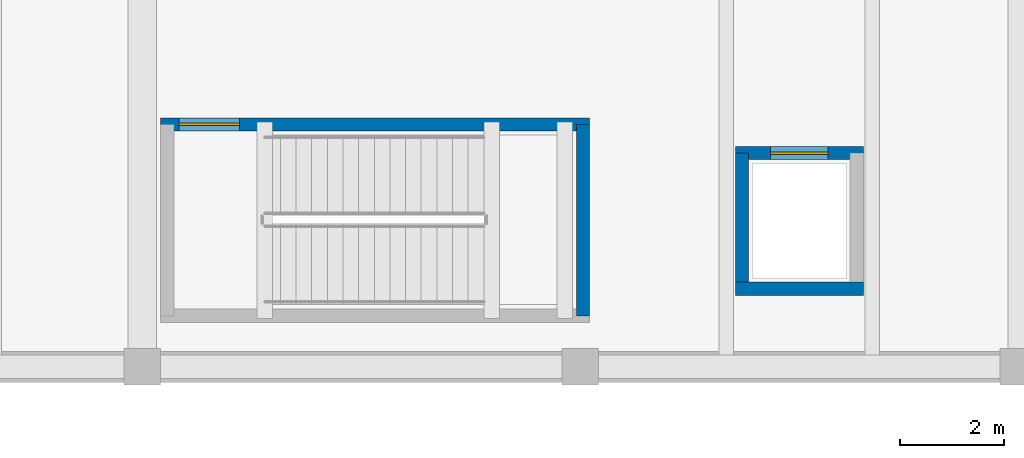
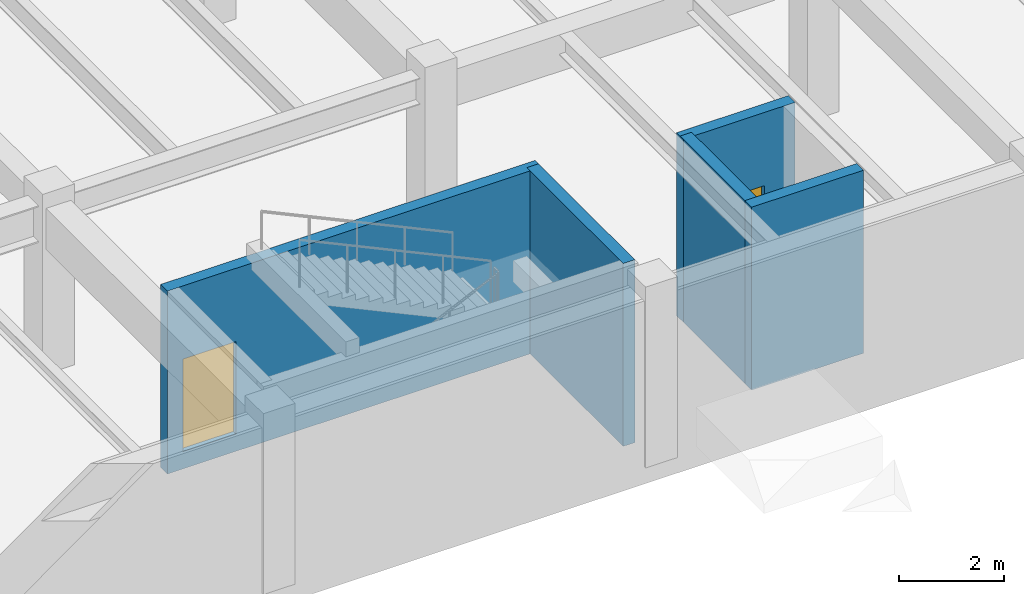
# One storey, part 36 of 63: 5 walls, 2 doors, 2 openings.
"""IFC4 building model written with IfcOpenShell, lengths in metres."""

from ifc_helpers import new_model, si_unit, direction, frame, frame_2d, origin, place, context, subcontext, project, spatial, rectangle, extrude, material, layer, layer_set, type_object, element, fill, save


model = new_model("IFC4")

# Units and contexts
model_context = context("Model", 3, precision=1e-05, world=origin(), true_north=direction((0.0, 1.0)))
body_context = subcontext(model_context, "Body", "Model", "MODEL_VIEW")
ifc_project = project(units=[si_unit("LENGTHUNIT", "METRE"), si_unit("AREAUNIT", "SQUARE_METRE"), si_unit("VOLUMEUNIT", "CUBIC_METRE"), si_unit("PLANEANGLEUNIT", "RADIAN"), si_unit("MASSUNIT", "GRAM", prefix="KILO")], contexts=[model_context])

# Site, building, storey
site_placement = place(None, origin())
site = spatial("IfcSite", under=ifc_project, at=site_placement, CompositionType="ELEMENT")
building_placement = place(site_placement, origin())
building = spatial("IfcBuilding", under=site, at=building_placement, Name="Cumbredor Promenade Congress Hotel", CompositionType="ELEMENT")
storey_placement = place(building_placement, frame((0.0, 0.0, -4.199951171875)))
storey = spatial("IfcBuildingStorey", under=building, at=storey_placement, Name="B01", CompositionType="ELEMENT", Elevation=-4.199951171875)

# Wall, opening, door
ifc_material_1 = material(Name="Concrete C40/50", Category="concrete")
ifc_layer = layer(ifc_material_1, 0.2548828125, Name="Concrete C40/50", Category="concrete")
ifc_layer_set = layer_set([ifc_layer], Name="Concrete C40/50")
wall_type = type_object("IfcWallType", Name="WL-SHAFT-250", PredefinedType="SOLIDWALL", material=ifc_layer_set)
wall_1_placement = place(storey_placement, frame((75.952392578125, 13.050048828125, -0.400146484375), z_axis=(0.0, 0.0, 1.0), x_axis=(1.0, 0.0, 0.0)))
wall_1 = element("IfcWall", 1, at=wall_1_placement, inside=storey, type_object=wall_type, Name="STAIR-ST-11-B01 Shaft Wall North", PredefinedType="SOLIDWALL", context=body_context, shape_type="SweptSolid", body=[
    extrude(rectangle(XDim=8.22509765625, YDim=0.2548828125, at=frame_2d((4.112548828125, 0.0))), origin(), (0.0, 0.0, 1.0), 4.25),
])
opening_1_placement = place(wall_1_placement, frame((0.35009765625, 0.0, 0.39990234375)))
opening_1 = element("IfcOpeningElement", 2, at=opening_1_placement, cuts=wall_1, Name="Opening SD-01", PredefinedType="OPENING", context=body_context, shape_type="SweptSolid", body=[
    extrude(rectangle(XDim=1.159912109375, YDim=2.14990234375, at=frame_2d((0.580078125, 1.074951171875))), frame((0.0, 0.137451171875, 0.0), z_axis=(0.0, -1.0, 0.0), x_axis=(1.0, 0.0, 0.0)), (0.0, 0.0, 1.0), 0.27490234375),
])
ifc_material_2 = material(Name="Painted galvanized steel fire door", Category="steel")
door_type_1 = type_object("IfcDoorType", Name="DR-STAIR-FD90-1150", OperationType="NOTDEFINED", PredefinedType="DOOR", material=ifc_material_2)
door_1_placement = place(opening_1_placement, origin())
door_1 = element("IfcDoor", 3, at=door_1_placement, inside=storey, type_object=door_type_1, Name="B01 Protected Exit Stair ST-11 Door", OperationType="SINGLE_SWING_LEFT", OverallHeight=2.14990234375, OverallWidth=1.159912109375, PredefinedType="DOOR", context=body_context, shape_type="SweptSolid", body=[
    extrude(rectangle(XDim=1.159912109375, YDim=2.14990234375, at=frame_2d((0.580078125, 1.074951171875))), frame((0.0, 0.02490234375, 0.0), z_axis=(0.0, -1.0, 0.0), x_axis=(1.0, 0.0, 0.0)), (0.0, 0.0, 1.0), 0.050048828125),
])
fill(opening_1, door_1)

# Walls
wall_2_placement = place(storey_placement, frame((84.050048828125, 9.3798828125, -0.400146484375), z_axis=(0.0, 0.0, 1.0), x_axis=(0.0, 1.0, 0.0)))
element("IfcWall", 4, at=wall_2_placement, inside=storey, type_object=wall_type, Name="STAIR-ST-11-B01 Shaft Wall East", PredefinedType="SOLIDWALL", context=body_context, shape_type="SweptSolid", body=[
    extrude(rectangle(XDim=3.670166015625, YDim=0.2548828125, at=frame_2d((1.8349609375, 0.0))), origin(), (0.0, 0.0, 1.0), 4.25),
])
wall_3_placement = place(storey_placement, frame((86.972412109375, 9.89990234375, -0.400146484375), z_axis=(0.0, 0.0, 1.0), x_axis=(1.0, 0.0, 0.0)))
element("IfcWall", 5, at=wall_3_placement, inside=storey, type_object=wall_type, Name="SHAFT-PL-08-B01 Shaft Wall South", PredefinedType="SOLIDWALL", context=body_context, shape_type="SweptSolid", body=[
    extrude(rectangle(XDim=2.455078125, YDim=0.2548828125, at=frame_2d((1.2275390625, 0.0))), origin(), (0.0, 0.0, 1.0), 4.25),
])

# Wall, opening, door
wall_4_placement = place(storey_placement, frame((86.972412109375, 12.5, -0.400146484375), z_axis=(0.0, 0.0, 1.0), x_axis=(1.0, 0.0, 0.0)))
wall_4 = element("IfcWall", 6, at=wall_4_placement, inside=storey, type_object=wall_type, Name="SHAFT-PL-08-B01 Shaft Wall North", PredefinedType="SOLIDWALL", context=body_context, shape_type="SweptSolid", body=[
    extrude(rectangle(XDim=2.455078125, YDim=0.2548828125, at=frame_2d((1.2275390625, 0.0))), origin(), (0.0, 0.0, 1.0), 4.25),
])
opening_2_placement = place(wall_4_placement, frame((0.677490234375, 0.0, 0.39990234375)))
opening_2 = element("IfcOpeningElement", 7, at=opening_2_placement, cuts=wall_4, Name="Opening LD-01", PredefinedType="OPENING", context=body_context, shape_type="SweptSolid", body=[
    extrude(rectangle(XDim=1.10009765625, YDim=2.14990234375, at=frame_2d((0.550048828125, 1.074951171875))), frame((0.0, 0.137451171875, 0.0), z_axis=(0.0, -1.0, 0.0), x_axis=(1.0, 0.0, 0.0)), (0.0, 0.0, 1.0), 0.27490234375),
])
ifc_material_3 = material(Name="Brushed stainless steel", Category="steel")
door_type_2 = type_object("IfcDoorType", Name="Lift Landing Sliding Door LD-01 1100x2150", OperationType="DOUBLE_DOOR_SLIDING", PredefinedType="DOOR", material=ifc_material_3)
door_2_placement = place(opening_2_placement, origin())
door_2 = element("IfcDoor", 8, at=door_2_placement, inside=storey, type_object=door_type_2, Name="B01 Spa Wellness Lift PL-08 Sliding Landing Door", OperationType="DOUBLE_DOOR_SLIDING", OverallHeight=2.14990234375, OverallWidth=1.10009765625, PredefinedType="DOOR", context=body_context, shape_type="SweptSolid", body=[
    extrude(rectangle(XDim=1.10009765625, YDim=2.14990234375, at=frame_2d((0.550048828125, 1.074951171875))), frame((0.0, 0.02490234375, 0.0), z_axis=(0.0, -1.0, 0.0), x_axis=(1.0, 0.0, 0.0)), (0.0, 0.0, 1.0), 0.050048828125),
])
fill(opening_2, door_2)

# Wall
wall_5_placement = place(storey_placement, frame((87.10009765625, 9.89990234375, -0.400146484375), z_axis=(0.0, 0.0, 1.0), x_axis=(0.0, 1.0, 0.0)))
element("IfcWall", 9, at=wall_5_placement, inside=storey, type_object=wall_type, Name="SHAFT-PL-08-B01 Shaft Wall West", PredefinedType="SOLIDWALL", context=body_context, shape_type="SweptSolid", body=[
    extrude(rectangle(XDim=2.60009765625, YDim=0.2548828125, at=frame_2d((1.300048828125, 0.0))), origin(), (0.0, 0.0, 1.0), 4.25),
])

save(model, "model.ifc")
